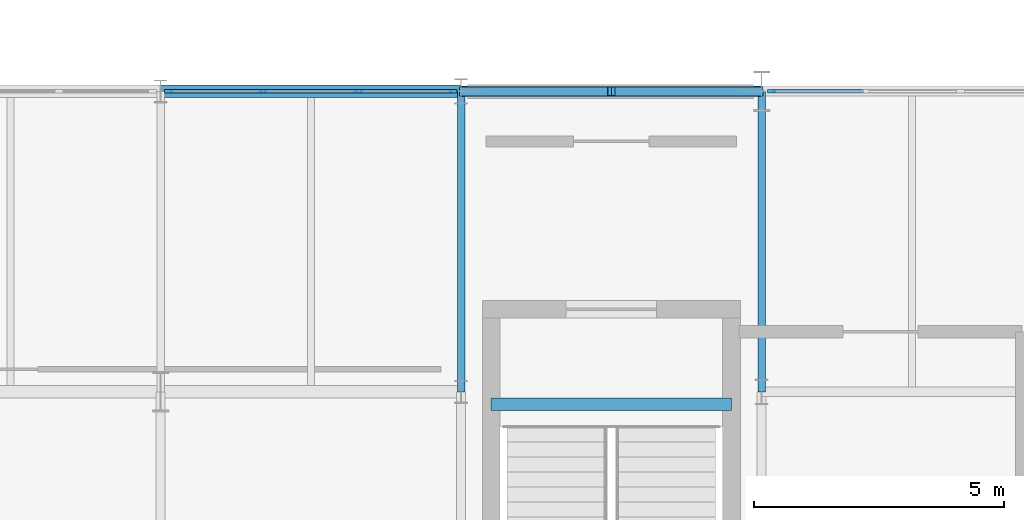
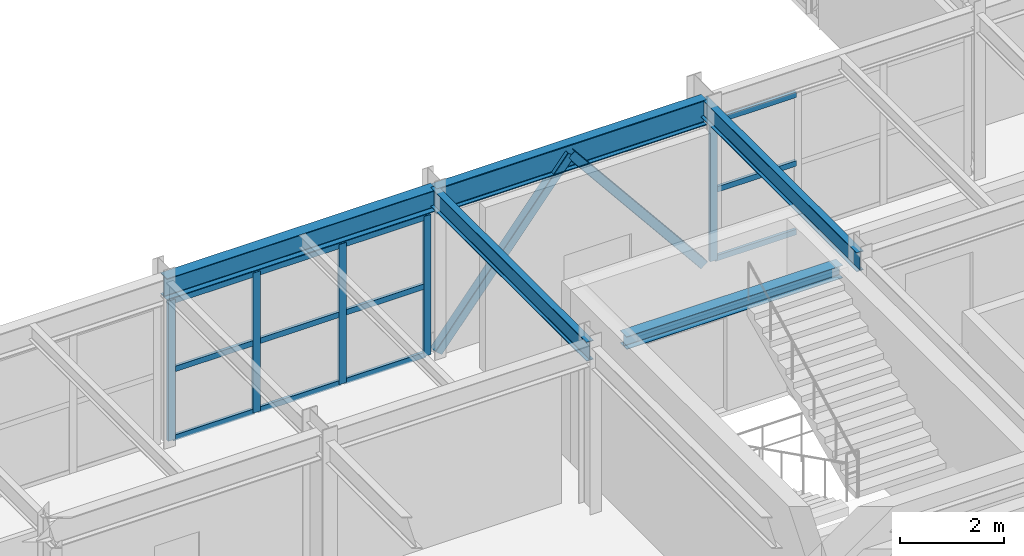
# One storey, part 19 of 83: 19 members, 5 beams, 2 elements without a shape of their own.
"""IFC4 building model written with IfcOpenShell, lengths in metres."""

from ifc_helpers import new_model, si_unit, direction, frame, origin, origin_2d, place, context, subcontext, project, spatial, rectangle, hollow_rectangle, i_section, extrude, material, material_profile, profile_set, type_object, element, aggregate, save


model = new_model("IFC4")

# Units and contexts
model_context = context("Model", 3, precision=1e-05, world=origin(), true_north=direction((0.0, 1.0)))
body_context = subcontext(model_context, "Body", "Model", "MODEL_VIEW")
ifc_project = project(units=[si_unit("LENGTHUNIT", "METRE"), si_unit("AREAUNIT", "SQUARE_METRE"), si_unit("VOLUMEUNIT", "CUBIC_METRE"), si_unit("PLANEANGLEUNIT", "RADIAN"), si_unit("MASSUNIT", "GRAM", prefix="KILO")], contexts=[model_context])

# Site, building, storey
site_placement = place(None, origin())
site = spatial("IfcSite", under=ifc_project, at=site_placement, CompositionType="ELEMENT")
building_placement = place(site_placement, origin())
building = spatial("IfcBuilding", under=site, at=building_placement, Name="Varnakota Square Police Headquarters", CompositionType="ELEMENT")
storey_placement = place(building_placement, frame((0.0, 0.0, 18.0)))
storey = spatial("IfcBuildingStorey", under=building, at=storey_placement, Name="L04", CompositionType="ELEMENT", Elevation=18.0)

# Beams
ifc_material_1 = material(Name="Steel IS 2062 Grade 350", Category="steel")
ifc_material_profile_1 = material_profile(ifc_material_1, i_section(OverallWidth=0.25, OverallDepth=0.300048828125, WebThickness=0.009521484375, FlangeThickness=0.010498046875, FilletRadius=0.011962890625, at=origin_2d()), Name="ISHB 300")
ifc_profile_set_1 = profile_set([ifc_material_profile_1], Name="Steel IS 2062 Grade 350")
beam_type_1 = type_object("IfcBeamType", Name="BM-ISHB300", PredefinedType="BEAM", material=ifc_profile_set_1)
beam_1_placement = place(storey_placement, frame((126.60009765625, 8.75, 3.8701171875), z_axis=(1.0, 0.0, 0.0), x_axis=(0.0, 1.0, 0.0)))
element("IfcBeam", 1, at=beam_1_placement, inside=storey, type_object=beam_type_1, Name="Stair landing support beam BM-LND-0011", PredefinedType="BEAM", context=body_context, shape_type="SweptSolid", body=[
    extrude(i_section(OverallWidth=0.25, OverallDepth=0.300048828125, WebThickness=0.009521484375, FlangeThickness=0.010498046875, FilletRadius=0.011962890625, at=origin_2d()), origin(), (0.0, 0.0, 1.0), 4.7998046875),
])
ifc_material_profile_2 = material_profile(ifc_material_1, i_section(OverallWidth=0.14990234375, OverallDepth=0.449951171875, WebThickness=0.009521484375, FlangeThickness=0.017333984375, FilletRadius=0.014892578125, at=origin_2d()), Name="ISMB 450")
ifc_profile_set_2 = profile_set([ifc_material_profile_2], Name="Steel IS 2062 Grade 350")
beam_type_2 = type_object("IfcBeamType", Name="BM-ISMB450", PredefinedType="BEAM", material=ifc_profile_set_2)
for number, where, z_axis, x_axis, name in (
    (2, (126.0, 9.0, 3.675048828125), (0.0, 1.0, 0.0), (-1.0, 0.0, 0.0), "BMG-L04-2988"),
    (3, (132.0, 9.0, 3.675048828125), (0.0, 1.0, 0.0), (-1.0, 0.0, 0.0), "BMG-L04-2990"),
):
    element("IfcBeam", number, at=place(storey_placement, frame(where, z_axis=z_axis, x_axis=x_axis)), inside=storey, type_object=beam_type_2, Name=name, PredefinedType="BEAM", context=body_context, shape_type="SweptSolid", body=[
        extrude(i_section(OverallWidth=0.14990234375, OverallDepth=0.449951171875, WebThickness=0.009521484375, FlangeThickness=0.017333984375, FilletRadius=0.014892578125, at=origin_2d()), origin(), (0.0, 0.0, 1.0), 6.0),
    ])
ifc_material_profile_3 = material_profile(ifc_material_1, i_section(OverallWidth=0.2099609375, OverallDepth=0.60009765625, WebThickness=0.011962890625, FlangeThickness=0.020751953125, FilletRadius=0.02001953125, at=origin_2d()), Name="ISMB 600")
ifc_profile_set_3 = profile_set([ifc_material_profile_3], Name="Steel IS 2062 Grade 350")
beam_type_3 = type_object("IfcBeamType", Name="BM-ISMB600", PredefinedType="BEAM", material=ifc_profile_set_3)
beam_2_placement = place(storey_placement, frame((126.0, 15.0, 3.60009765625), z_axis=(1.0, 0.0, 0.0), x_axis=(0.0, 1.0, 0.0)))
element("IfcBeam", 4, at=beam_2_placement, inside=storey, type_object=beam_type_3, Name="BMG-L04-2861", PredefinedType="BEAM", context=body_context, shape_type="SweptSolid", body=[
    extrude(i_section(OverallWidth=0.2099609375, OverallDepth=0.60009765625, WebThickness=0.011962890625, FlangeThickness=0.020751953125, FilletRadius=0.02001953125, at=origin_2d()), origin(), (0.0, 0.0, 1.0), 6.0),
])
ifc_material_profile_4 = material_profile(ifc_material_1, i_section(OverallWidth=0.25, OverallDepth=0.5, WebThickness=0.010009765625, FlangeThickness=0.0146484375, FilletRadius=0.014892578125, at=origin_2d()), Name="ISWB 500")
ifc_profile_set_4 = profile_set([ifc_material_profile_4], Name="Steel IS 2062 Grade 350")
beam_type_4 = type_object("IfcBeamType", Name="BM-ISWB500", PredefinedType="BEAM", material=ifc_profile_set_4)
beam_3_placement = place(storey_placement, frame((120.0, 15.0, 3.64990234375), z_axis=(1.0, 0.0, 0.0), x_axis=(0.0, 1.0, 0.0)))
element("IfcBeam", 5, at=beam_3_placement, inside=storey, type_object=beam_type_4, Name="BMG-L04-2860", PredefinedType="BEAM", context=body_context, shape_type="SweptSolid", body=[
    extrude(i_section(OverallWidth=0.25, OverallDepth=0.5, WebThickness=0.010009765625, FlangeThickness=0.0146484375, FilletRadius=0.014892578125, at=origin_2d()), origin(), (0.0, 0.0, 1.0), 6.0),
])

# Curtain wall, members
ifc_material_2 = material(Name="Anodised Aluminium Framing", Category="aluminium")
curtain_wall_type = type_object("IfcCurtainWallType", Name="CW-SYS-D", PredefinedType="NOTDEFINED", material=ifc_material_2)
curtain_wall_1_placement = place(storey_placement, origin())
curtain_wall_1 = element("IfcCurtainWall", 6, at=curtain_wall_1_placement, inside=storey, type_object=curtain_wall_type, Name="Unitised curtain wall CWG-L04-093", PredefinedType="NOTDEFINED")
ifc_material_3 = material(Name="Anodised Aluminium 6063-T6", Category="aluminium")
ifc_material_profile_5 = material_profile(ifc_material_3, rectangle(XDim=0.06494140625, YDim=0.159912109375, at=origin_2d()), Name="ALU MULLION 65x160")
ifc_profile_set_5 = profile_set([ifc_material_profile_5], Name="Anodised Aluminium 6063-T6")
member_type_1 = type_object("IfcMemberType", Name="CWM-150", PredefinedType="MULLION", material=ifc_profile_set_5)
member_1_placement = place(storey_placement, frame((120.16259765625, 15.0, 0.0), z_axis=(0.0, 0.0, 1.0), x_axis=(0.0, 1.0, 0.0)))
member_1 = element("IfcMember", 7, at=member_1_placement, type_object=member_type_1, Name="CWG-L04-093 mullion 1", PredefinedType="MULLION", context=body_context, shape_type="SweptSolid", body=[
    extrude(rectangle(XDim=0.06494140625, YDim=0.159912109375, at=origin_2d()), origin(), (0.0, 0.0, 1.0), 3.2900390625),
])
member_2_placement = place(storey_placement, frame((122.043212890625, 15.0, 0.0), z_axis=(0.0, 0.0, 1.0), x_axis=(0.0, 1.0, 0.0)))
member_2 = element("IfcMember", 8, at=member_2_placement, type_object=member_type_1, Name="CWG-L04-093 mullion 2", PredefinedType="MULLION", context=body_context, shape_type="SweptSolid", body=[
    extrude(rectangle(XDim=0.06494140625, YDim=0.159912109375, at=origin_2d()), origin(), (0.0, 0.0, 1.0), 3.2900390625),
])
member_3_placement = place(storey_placement, frame((123.956787109375, 15.0, 0.0), z_axis=(0.0, 0.0, 1.0), x_axis=(0.0, 1.0, 0.0)))
member_3 = element("IfcMember", 9, at=member_3_placement, type_object=member_type_1, Name="CWG-L04-093 mullion 3", PredefinedType="MULLION", context=body_context, shape_type="SweptSolid", body=[
    extrude(rectangle(XDim=0.06494140625, YDim=0.159912109375, at=origin_2d()), origin(), (0.0, 0.0, 1.0), 3.2900390625),
])
member_4_placement = place(storey_placement, frame((125.83740234375, 15.0, 0.0), z_axis=(0.0, 0.0, 1.0), x_axis=(0.0, 1.0, 0.0)))
member_4 = element("IfcMember", 10, at=member_4_placement, type_object=member_type_1, Name="CWG-L04-093 mullion 4", PredefinedType="MULLION", context=body_context, shape_type="SweptSolid", body=[
    extrude(rectangle(XDim=0.06494140625, YDim=0.159912109375, at=origin_2d()), origin(), (0.0, 0.0, 1.0), 3.2900390625),
])

# Curtain wall, member
curtain_wall_2_placement = place(storey_placement, origin())
curtain_wall_2 = element("IfcCurtainWall", 11, at=curtain_wall_2_placement, inside=storey, type_object=curtain_wall_type, Name="Unitised curtain wall CWG-L04-094", PredefinedType="NOTDEFINED")
member_5_placement = place(storey_placement, frame((132.197509765625, 15.0, 0.0), z_axis=(0.0, 0.0, 1.0), x_axis=(0.0, 1.0, 0.0)))
member_5 = element("IfcMember", 12, at=member_5_placement, type_object=member_type_1, Name="CWG-L04-094 mullion 1", PredefinedType="MULLION", context=body_context, shape_type="SweptSolid", body=[
    extrude(rectangle(XDim=0.06494140625, YDim=0.159912109375, at=origin_2d()), origin(), (0.0, 0.0, 1.0), 3.2900390625),
])

# Member
ifc_material_profile_6 = material_profile(ifc_material_3, rectangle(XDim=0.06494140625, YDim=0.1298828125, at=origin_2d()), Name="ALU TRANSOM 65x130")
ifc_profile_set_6 = profile_set([ifc_material_profile_6], Name="Anodised Aluminium 6063-T6")
member_type_2 = type_object("IfcMemberType", Name="CWT-120", PredefinedType="USERDEFINED", material=ifc_profile_set_6)
member_6_placement = place(storey_placement, frame((120.195068359375, 15.0, 0.032470703125), z_axis=(1.0, 0.0, 0.0), x_axis=(0.0, 1.0, 0.0)))
member_6 = element("IfcMember", 13, at=member_6_placement, type_object=member_type_2, Name="CWG-L04-093 transom 1.1", ObjectType="TRANSOM", PredefinedType="USERDEFINED", context=body_context, shape_type="SweptSolid", body=[
    extrude(rectangle(XDim=0.06494140625, YDim=0.1298828125, at=origin_2d()), origin(), (0.0, 0.0, 1.0), 1.815673828125),
])

member_7_placement = place(storey_placement, frame((120.195068359375, 15.0, 1.64501953125), z_axis=(1.0, 0.0, 0.0), x_axis=(0.0, 1.0, 0.0)))
member_7 = element("IfcMember", 14, at=member_7_placement, type_object=member_type_2, Name="CWG-L04-093 transom 1.2", ObjectType="TRANSOM", PredefinedType="USERDEFINED", context=body_context, shape_type="SweptSolid", body=[
    extrude(rectangle(XDim=0.06494140625, YDim=0.1298828125, at=origin_2d()), origin(), (0.0, 0.0, 1.0), 1.815673828125),
])

member_8_placement = place(storey_placement, frame((120.195068359375, 15.0, 3.257568359375), z_axis=(1.0, 0.0, 0.0), x_axis=(0.0, 1.0, 0.0)))
member_8 = element("IfcMember", 15, at=member_8_placement, type_object=member_type_2, Name="CWG-L04-093 transom 1.3", ObjectType="TRANSOM", PredefinedType="USERDEFINED", context=body_context, shape_type="SweptSolid", body=[
    extrude(rectangle(XDim=0.06494140625, YDim=0.1298828125, at=origin_2d()), origin(), (0.0, 0.0, 1.0), 1.815673828125),
])

member_9_placement = place(storey_placement, frame((122.075927734375, 15.0, 0.032470703125), z_axis=(1.0, 0.0, 0.0), x_axis=(0.0, 1.0, 0.0)))
member_9 = element("IfcMember", 16, at=member_9_placement, type_object=member_type_2, Name="CWG-L04-093 transom 2.1", ObjectType="TRANSOM", PredefinedType="USERDEFINED", context=body_context, shape_type="SweptSolid", body=[
    extrude(rectangle(XDim=0.06494140625, YDim=0.1298828125, at=origin_2d()), origin(), (0.0, 0.0, 1.0), 1.84814453125),
])

member_10_placement = place(storey_placement, frame((122.075927734375, 15.0, 1.64501953125), z_axis=(1.0, 0.0, 0.0), x_axis=(0.0, 1.0, 0.0)))
member_10 = element("IfcMember", 17, at=member_10_placement, type_object=member_type_2, Name="CWG-L04-093 transom 2.2", ObjectType="TRANSOM", PredefinedType="USERDEFINED", context=body_context, shape_type="SweptSolid", body=[
    extrude(rectangle(XDim=0.06494140625, YDim=0.1298828125, at=origin_2d()), origin(), (0.0, 0.0, 1.0), 1.84814453125),
])

member_11_placement = place(storey_placement, frame((122.075927734375, 15.0, 3.257568359375), z_axis=(1.0, 0.0, 0.0), x_axis=(0.0, 1.0, 0.0)))
member_11 = element("IfcMember", 18, at=member_11_placement, type_object=member_type_2, Name="CWG-L04-093 transom 2.3", ObjectType="TRANSOM", PredefinedType="USERDEFINED", context=body_context, shape_type="SweptSolid", body=[
    extrude(rectangle(XDim=0.06494140625, YDim=0.1298828125, at=origin_2d()), origin(), (0.0, 0.0, 1.0), 1.84814453125),
])

member_12_placement = place(storey_placement, frame((123.9892578125, 15.0, 0.032470703125), z_axis=(1.0, 0.0, 0.0), x_axis=(0.0, 1.0, 0.0)))
member_12 = element("IfcMember", 19, at=member_12_placement, type_object=member_type_2, Name="CWG-L04-093 transom 3.1", ObjectType="TRANSOM", PredefinedType="USERDEFINED", context=body_context, shape_type="SweptSolid", body=[
    extrude(rectangle(XDim=0.06494140625, YDim=0.1298828125, at=origin_2d()), origin(), (0.0, 0.0, 1.0), 1.815673828125),
])

member_13_placement = place(storey_placement, frame((123.9892578125, 15.0, 1.64501953125), z_axis=(1.0, 0.0, 0.0), x_axis=(0.0, 1.0, 0.0)))
member_13 = element("IfcMember", 20, at=member_13_placement, type_object=member_type_2, Name="CWG-L04-093 transom 3.2", ObjectType="TRANSOM", PredefinedType="USERDEFINED", context=body_context, shape_type="SweptSolid", body=[
    extrude(rectangle(XDim=0.06494140625, YDim=0.1298828125, at=origin_2d()), origin(), (0.0, 0.0, 1.0), 1.815673828125),
])

member_14_placement = place(storey_placement, frame((123.9892578125, 15.0, 3.257568359375), z_axis=(1.0, 0.0, 0.0), x_axis=(0.0, 1.0, 0.0)))
member_14 = element("IfcMember", 21, at=member_14_placement, type_object=member_type_2, Name="CWG-L04-093 transom 3.3", ObjectType="TRANSOM", PredefinedType="USERDEFINED", context=body_context, shape_type="SweptSolid", body=[
    extrude(rectangle(XDim=0.06494140625, YDim=0.1298828125, at=origin_2d()), origin(), (0.0, 0.0, 1.0), 1.815673828125),
])

aggregate(curtain_wall_1, [member_1, member_2, member_3, member_4, member_6, member_7, member_8, member_9, member_10, member_11, member_12, member_13, member_14])

member_15_placement = place(storey_placement, frame((132.22998046875, 15.0, 0.032470703125), z_axis=(1.0, 0.0, 0.0), x_axis=(0.0, 1.0, 0.0)))
member_15 = element("IfcMember", 22, at=member_15_placement, type_object=member_type_2, Name="CWG-L04-094 transom 1.1", ObjectType="TRANSOM", PredefinedType="USERDEFINED", context=body_context, shape_type="SweptSolid", body=[
    extrude(rectangle(XDim=0.06494140625, YDim=0.1298828125, at=origin_2d()), origin(), (0.0, 0.0, 1.0), 1.80419921875),
])

member_16_placement = place(storey_placement, frame((132.22998046875, 15.0, 1.64501953125), z_axis=(1.0, 0.0, 0.0), x_axis=(0.0, 1.0, 0.0)))
member_16 = element("IfcMember", 23, at=member_16_placement, type_object=member_type_2, Name="CWG-L04-094 transom 1.2", ObjectType="TRANSOM", PredefinedType="USERDEFINED", context=body_context, shape_type="SweptSolid", body=[
    extrude(rectangle(XDim=0.06494140625, YDim=0.1298828125, at=origin_2d()), origin(), (0.0, 0.0, 1.0), 1.80419921875),
])

member_17_placement = place(storey_placement, frame((132.22998046875, 15.0, 3.257568359375), z_axis=(1.0, 0.0, 0.0), x_axis=(0.0, 1.0, 0.0)))
member_17 = element("IfcMember", 24, at=member_17_placement, type_object=member_type_2, Name="CWG-L04-094 transom 1.3", ObjectType="TRANSOM", PredefinedType="USERDEFINED", context=body_context, shape_type="SweptSolid", body=[
    extrude(rectangle(XDim=0.06494140625, YDim=0.1298828125, at=origin_2d()), origin(), (0.0, 0.0, 1.0), 1.80419921875),
])

aggregate(curtain_wall_2, [member_5, member_15, member_16, member_17])

# Members
ifc_material_profile_7 = material_profile(ifc_material_1, hollow_rectangle(XDim=0.199951171875, YDim=0.199951171875, WallThickness=0.010009765625, InnerFilletRadius=0.010009765625, OuterFilletRadius=0.02001953125, at=origin_2d()), Name="SHS 200x200x10")
ifc_profile_set_7 = profile_set([ifc_material_profile_7], Name="Steel IS 2062 Grade 350")
member_type_3 = type_object("IfcMemberType", Name="MEM-BR-SHS200", PredefinedType="BRACE", material=ifc_profile_set_7)
for number, where, z_axis, x_axis, name in (
    (25, (126.050048828125, 15.0, 0.02001953125), (0.630679081609, 0.0, 0.776043746203), (0.0, 1.0, 0.0), "Lateral brace BF1 L04 left"),
    (26, (131.949951171875, 15.0, 0.02001953125), (-0.630679081609, 0.0, 0.776043746203), (0.0, -1.0, 0.0), "Lateral brace BF1 L04 right"),
):
    element("IfcMember", number, at=place(storey_placement, frame(where, z_axis=z_axis, x_axis=x_axis)), inside=storey, type_object=member_type_3, Name=name, PredefinedType="BRACE", context=body_context, shape_type="SweptSolid", body=[
        extrude(hollow_rectangle(XDim=0.199951171875, YDim=0.199951171875, WallThickness=0.010009765625, InnerFilletRadius=0.010009765625, OuterFilletRadius=0.02001953125, at=origin_2d()), origin(), (0.0, 0.0, 1.0), 4.677490234375),
    ])

save(model, "model.ifc")
